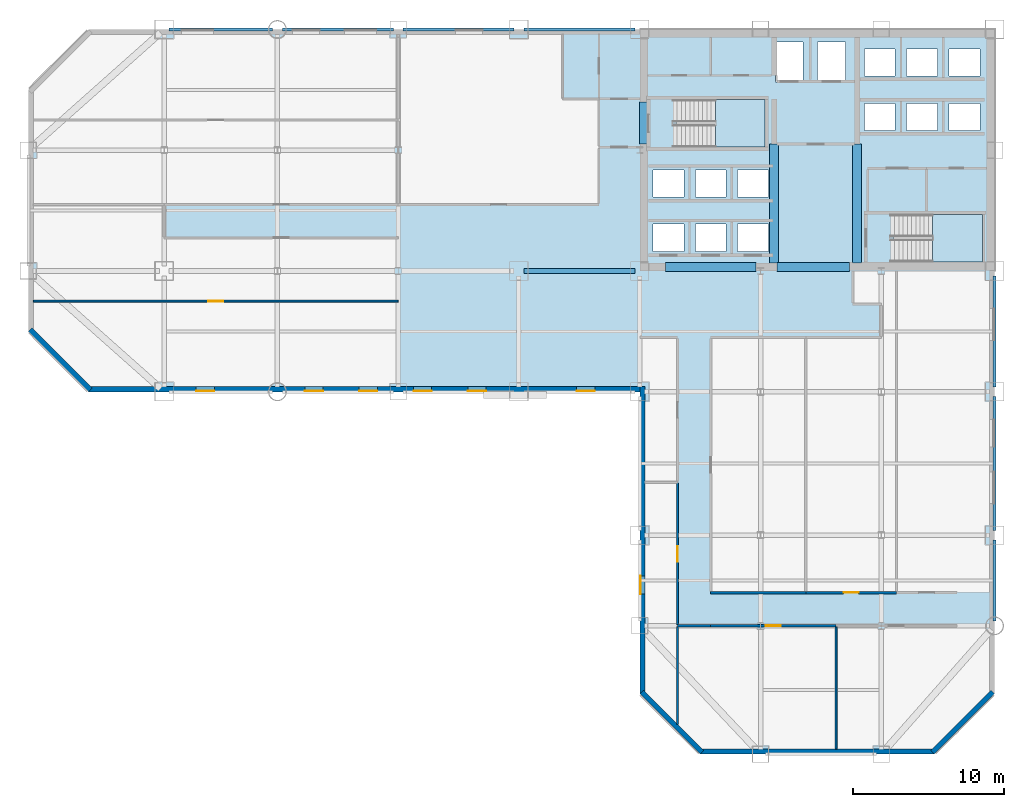
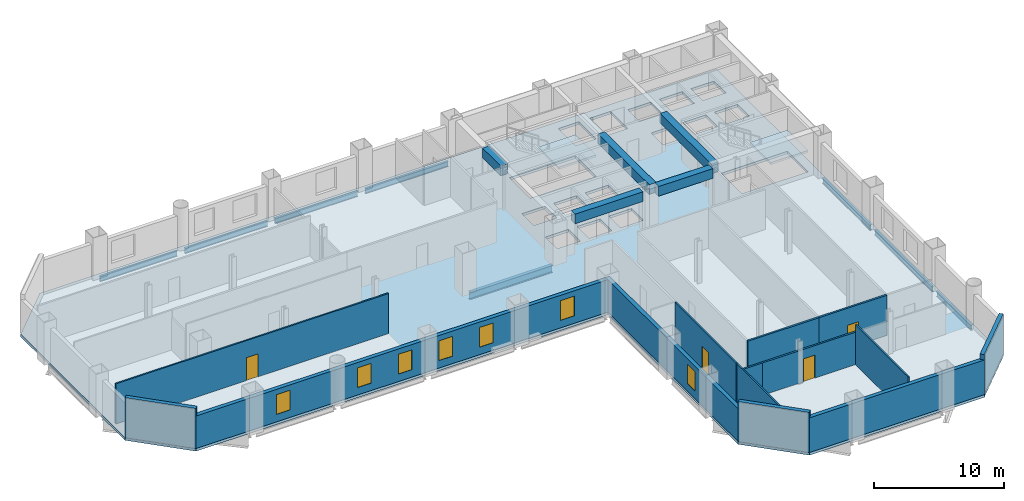
# One storey, part 4 of 9: 14 walls, 13 beams, 7 windows, 4 doors, 3 slabs, 11 openings, 2 elements without a shape of their own.
"""IFC4 building model written with IfcOpenShell, lengths in metres."""

from ifc_helpers import new_model, si_unit, direction, frame, frame_2d, origin, origin_2d, place, context, subcontext, project, spatial, polyline, rectangle, i_section, outline, extrude, material, layer, layer_set, material_profile, profile_set, type_object, element, fill, aggregate, save


model = new_model("IFC4")

# Units and contexts
model_context = context("Model", 3, precision=1e-05, world=origin(), true_north=direction((0.0, 1.0)))
body_context = subcontext(model_context, "Body", "Model", "MODEL_VIEW")
ifc_project = project(units=[si_unit("LENGTHUNIT", "METRE"), si_unit("AREAUNIT", "SQUARE_METRE"), si_unit("VOLUMEUNIT", "CUBIC_METRE"), si_unit("PLANEANGLEUNIT", "RADIAN"), si_unit("MASSUNIT", "GRAM", prefix="KILO")], contexts=[model_context])

# Site, building, storey
site_placement = place(None, origin())
site = spatial("IfcSite", under=ifc_project, at=site_placement, CompositionType="ELEMENT")
building_placement = place(site_placement, origin())
building = spatial("IfcBuilding", under=site, at=building_placement, Name="Qianrong Seaharbour Tower", CompositionType="ELEMENT")
storey_placement = place(building_placement, frame((0.0, 0.0, 68.199951171875)))
storey = spatial("IfcBuildingStorey", under=building, at=storey_placement, Name="L16", CompositionType="ELEMENT", Elevation=68.199951171875)

# Beams
ifc_material_1 = material(Name="Structural steel SN490B", Category="steel")
ifc_material_profile_1 = material_profile(ifc_material_1, i_section(OverallWidth=0.300048828125, OverallDepth=0.699951171875, WebThickness=0.012939453125, FlangeThickness=0.02392578125, FilletRadius=0.02587890625, at=origin_2d()), Name="H700x300x13x24")
ifc_profile_set_1 = profile_set([ifc_material_profile_1], Name="Structural steel SN490B")
beam_type_1 = type_object("IfcBeamType", Name="BM-G-700", PredefinedType="BEAM", material=ifc_profile_set_1)
beam_1_placement = place(storey_placement, frame((32.820068359375, 36.0, -0.599853515625), z_axis=(1.0, 0.0, 0.0), x_axis=(0.0, 1.0, 0.0)))
element("IfcBeam", 1, at=beam_1_placement, inside=storey, type_object=beam_type_1, Name="L16 Primary Girder GF G5-G6", PredefinedType="BEAM", context=body_context, shape_type="SweptSolid", body=[
    extrude(i_section(OverallWidth=0.300048828125, OverallDepth=0.699951171875, WebThickness=0.012939453125, FlangeThickness=0.02392578125, FilletRadius=0.02587890625, at=origin_2d()), origin(), (0.0, 0.0, 1.0), 7.35986328125),
])
ifc_material_2 = material(Name="Concrete C70/85", Category="concrete")
ifc_material_profile_2 = material_profile(ifc_material_2, rectangle(XDim=0.60009765625, YDim=0.89990234375, at=origin_2d()), Name="RC600x900")
ifc_profile_set_2 = profile_set([ifc_material_profile_2], Name="Concrete C70/85")
beam_type_2 = type_object("IfcBeamType", Name="BM-LINTEL-900", PredefinedType="LINTEL", material=ifc_profile_set_2)
beam_2_placement = place(storey_placement, frame((40.77001953125, 44.39990234375, 3.300048828125), z_axis=(0.0, 1.0, 0.0), x_axis=(-1.0, 0.0, 0.0)))
element("IfcBeam", 2, at=beam_2_placement, inside=storey, type_object=beam_type_2, Name="L16 Core Coupling Lintel Beam West", PredefinedType="LINTEL", context=body_context, shape_type="SweptSolid", body=[
    extrude(rectangle(XDim=0.60009765625, YDim=0.89990234375, at=origin_2d()), origin(), (0.0, 0.0, 1.0), 2.800048828125),
])
beam_3_placement = place(storey_placement, frame((42.199951171875, 36.27001953125, 3.300048828125), z_axis=(1.0, 0.0, 0.0), x_axis=(0.0, 1.0, 0.0)))
element("IfcBeam", 3, at=beam_3_placement, inside=storey, type_object=beam_type_2, Name="L16 Core Coupling Lintel Beam CBW", PredefinedType="LINTEL", context=body_context, shape_type="SweptSolid", body=[
    extrude(rectangle(XDim=0.60009765625, YDim=0.89990234375, at=origin_2d()), origin(), (0.0, 0.0, 1.0), 6.0),
])
beam_4_placement = place(storey_placement, frame((49.60009765625, 36.27001953125, 3.300048828125), z_axis=(1.0, 0.0, 0.0), x_axis=(0.0, 1.0, 0.0)))
element("IfcBeam", 4, at=beam_4_placement, inside=storey, type_object=beam_type_2, Name="L16 Core Coupling Lintel Beam CBC", PredefinedType="LINTEL", context=body_context, shape_type="SweptSolid", body=[
    extrude(rectangle(XDim=0.60009765625, YDim=0.89990234375, at=origin_2d()), origin(), (0.0, 0.0, 1.0), 4.7998046875),
])
for number, where, z_axis, x_axis, name in (
    (5, (49.39990234375, 36.5400390625, 3.300048828125), (0.0, 1.0, 0.0), (-1.0, 0.0, 0.0), "L16 Internal Core Coupling Beam IW1"),
    (6, (54.89990234375, 36.5400390625, 3.300048828125), (0.0, 1.0, 0.0), (-1.0, 0.0, 0.0), "L16 Internal Core Coupling Beam IW2"),
):
    element("IfcBeam", number, at=place(storey_placement, frame(where, z_axis=z_axis, x_axis=x_axis)), inside=storey, type_object=beam_type_2, Name=name, PredefinedType="LINTEL", context=body_context, shape_type="SweptSolid", body=[
        extrude(rectangle(XDim=0.60009765625, YDim=0.89990234375, at=origin_2d()), origin(), (0.0, 0.0, 1.0), 7.85986328125),
    ])
ifc_material_profile_3 = material_profile(ifc_material_1, i_section(OverallWidth=0.199951171875, OverallDepth=0.5, WebThickness=0.010009765625, FlangeThickness=0.01611328125, FilletRadius=0.02001953125, at=origin_2d()), Name="H500x200x10x16")
ifc_profile_set_3 = profile_set([ifc_material_profile_3], Name="Structural steel SN490B")
beam_type_3 = type_object("IfcBeamType", Name="BM-SP-500", PredefinedType="SPANDREL", material=ifc_profile_set_3)
beam_5_placement = place(storey_placement, frame((9.320068359375, 52.0, -0.5), z_axis=(1.0, 0.0, 0.0), x_axis=(0.0, 1.0, 0.0)))
element("IfcBeam", 7, at=beam_5_placement, inside=storey, type_object=beam_type_3, Name="L16 Spandrel Girder GH G2-G3", PredefinedType="SPANDREL", context=body_context, shape_type="SweptSolid", body=[
    extrude(i_section(OverallWidth=0.199951171875, OverallDepth=0.5, WebThickness=0.010009765625, FlangeThickness=0.01611328125, FilletRadius=0.02001953125, at=origin_2d()), origin(), (0.0, 0.0, 1.0), 6.85986328125),
])
for number, where, z_axis, x_axis, name in (
    (8, (16.820068359375, 52.0, -0.5), (1.0, 0.0, 0.0), (0.0, 1.0, 0.0), "L16 Spandrel Girder GH G3-G4"),
    (9, (24.820068359375, 52.0, -0.5), (1.0, 0.0, 0.0), (0.0, 1.0, 0.0), "L16 Spandrel Girder GH G4-G5"),
    (10, (32.820068359375, 52.0, -0.5), (1.0, 0.0, 0.0), (0.0, 1.0, 0.0), "L16 Spandrel Girder GH G5-G6"),
):
    element("IfcBeam", number, at=place(storey_placement, frame(where, z_axis=z_axis, x_axis=x_axis)), inside=storey, type_object=beam_type_3, Name=name, PredefinedType="SPANDREL", context=body_context, shape_type="SweptSolid", body=[
        extrude(i_section(OverallWidth=0.199951171875, OverallDepth=0.5, WebThickness=0.010009765625, FlangeThickness=0.01611328125, FilletRadius=0.02001953125, at=origin_2d()), origin(), (0.0, 0.0, 1.0), 7.35986328125),
    ])
beam_6_placement = place(storey_placement, frame((64.0, 12.820068359375, -0.5), z_axis=(0.0, 1.0, 0.0), x_axis=(-1.0, 0.0, 0.0)))
element("IfcBeam", 11, at=beam_6_placement, inside=storey, type_object=beam_type_3, Name="L16 Spandrel Girder G9 GC-GD", PredefinedType="SPANDREL", context=body_context, shape_type="SweptSolid", body=[
    extrude(i_section(OverallWidth=0.199951171875, OverallDepth=0.5, WebThickness=0.010009765625, FlangeThickness=0.01611328125, FilletRadius=0.02001953125, at=origin_2d()), origin(), (0.0, 0.0, 1.0), 5.35986328125),
])
beam_7_placement = place(storey_placement, frame((64.0, 18.820068359375, -0.5), z_axis=(0.0, 1.0, 0.0), x_axis=(-1.0, 0.0, 0.0)))
element("IfcBeam", 12, at=beam_7_placement, inside=storey, type_object=beam_type_3, Name="L16 Spandrel Girder G9 GD-GE", PredefinedType="SPANDREL", context=body_context, shape_type="SweptSolid", body=[
    extrude(i_section(OverallWidth=0.199951171875, OverallDepth=0.5, WebThickness=0.010009765625, FlangeThickness=0.01611328125, FilletRadius=0.02001953125, at=origin_2d()), origin(), (0.0, 0.0, 1.0), 8.85986328125),
])
beam_8_placement = place(storey_placement, frame((64.0, 28.320068359375, -0.5), z_axis=(0.0, 1.0, 0.0), x_axis=(-1.0, 0.0, 0.0)))
element("IfcBeam", 13, at=beam_8_placement, inside=storey, type_object=beam_type_3, Name="L16 Spandrel Girder G9 GE-GF", PredefinedType="SPANDREL", context=body_context, shape_type="SweptSolid", body=[
    extrude(i_section(OverallWidth=0.199951171875, OverallDepth=0.5, WebThickness=0.010009765625, FlangeThickness=0.01611328125, FilletRadius=0.02001953125, at=origin_2d()), origin(), (0.0, 0.0, 1.0), 7.35986328125),
])

# Stair, slab
ifc_material_3 = material(Name="Concrete C50/60", Category="concrete")
stair_type = type_object("IfcStairType", Name="STAIR-DOGLEG-1500-R22", PredefinedType="HALF_TURN_STAIR", material=ifc_material_3)
stair_1_placement = place(storey_placement, origin())
stair_1 = element("IfcStair", 14, at=stair_1_placement, inside=storey, type_object=stair_type, Name="L16 Protected Escape Stair ST-1", PredefinedType="HALF_TURN_STAIR")
ifc_layer_1 = layer(ifc_material_3, 0.199951171875)
ifc_layer_set_1 = layer_set([ifc_layer_1], Name="Concrete C50/60")
slab_type_1 = type_object("IfcSlabType", Name="SLAB-STAIR-LANDING-200", PredefinedType="LANDING", material=ifc_layer_set_1)
slab_1_placement = place(storey_placement, frame((0.0, 0.0, 1.800048828125)))
slab_1 = element("IfcSlab", 15, at=slab_1_placement, type_object=slab_type_1, Name="ST-1 landing 1", PredefinedType="LANDING", context=body_context, shape_type="SweptSolid", body=[
    extrude(outline(polyline([(45.5, 44.199951171875), (48.800048828125, 44.199951171875), (48.800048828125, 47.35009765625), (45.5, 47.35009765625), (45.5, 44.199951171875)])), origin(), (0.0, 0.0, 1.0), 0.199951171875),
])
aggregate(stair_1, [slab_1])

stair_2_placement = place(storey_placement, origin())
stair_2 = element("IfcStair", 16, at=stair_2_placement, inside=storey, type_object=stair_type, Name="L16 Protected Escape Stair ST-2", PredefinedType="HALF_TURN_STAIR")
slab_2_placement = place(storey_placement, frame((0.0, 0.0, 1.800048828125)))
slab_2 = element("IfcSlab", 17, at=slab_2_placement, type_object=slab_type_1, Name="ST-2 landing 1", PredefinedType="LANDING", context=body_context, shape_type="SweptSolid", body=[
    extrude(outline(polyline([(59.89990234375, 36.60009765625), (63.199951171875, 36.60009765625), (63.199951171875, 39.75), (59.89990234375, 39.75), (59.89990234375, 36.60009765625)])), origin(), (0.0, 0.0, 1.0), 0.199951171875),
])
aggregate(stair_2, [slab_2])

# Slab
ifc_layer_2 = layer(ifc_material_3, 0.25)
ifc_layer_set_2 = layer_set([ifc_layer_2], Name="Concrete C50/60")
slab_type_2 = type_object("IfcSlabType", Name="SLAB-Z1-250", PredefinedType="FLOOR", material=ifc_layer_set_2)
slab_3_placement = place(storey_placement, frame((0.0, 0.0, -0.25)))
element("IfcSlab", 18, at=slab_3_placement, inside=storey, type_object=slab_type_2, Name="L16 Structural Floor Slab", PredefinedType="FLOOR", context=body_context, shape_type="SweptSolid", body=[
    extrude(outline(polyline([(44.5, 4.0), (60.0, 4.0), (64.0, 8.0), (64.0, 52.0), (4.0, 52.0), (0.0, 48.0), (0.0, 32.0), (4.0, 28.0), (40.5, 28.0), (40.5, 8.0), (44.5, 4.0)]), holes=[polyline([(42.93994140625, 44.199951171875), (42.93994140625, 47.35009765625), (48.800048828125, 47.35009765625), (48.800048828125, 44.199951171875), (42.93994140625, 44.199951171875)]), polyline([(57.340087890625, 36.60009765625), (57.340087890625, 39.75), (63.199951171875, 39.75), (63.199951171875, 36.60009765625), (57.340087890625, 36.60009765625)]), polyline([(49.47998046875, 48.530029296875), (49.47998046875, 51.169921875), (51.320068359375, 51.169921875), (51.320068359375, 48.530029296875), (49.47998046875, 48.530029296875)]), polyline([(52.280029296875, 48.530029296875), (52.280029296875, 51.169921875), (54.1201171875, 51.169921875), (54.1201171875, 48.530029296875), (52.280029296875, 48.530029296875)]), polyline([(41.3798828125, 37.300048828125), (41.3798828125, 39.10009765625), (43.419921875, 39.10009765625), (43.419921875, 37.300048828125), (41.3798828125, 37.300048828125)]), polyline([(44.179931640625, 37.300048828125), (44.179931640625, 39.10009765625), (46.219970703125, 39.10009765625), (46.219970703125, 37.300048828125), (44.179931640625, 37.300048828125)]), polyline([(46.97998046875, 37.300048828125), (46.97998046875, 39.10009765625), (49.02001953125, 39.10009765625), (49.02001953125, 37.300048828125), (46.97998046875, 37.300048828125)]), polyline([(41.3798828125, 40.89990234375), (41.3798828125, 42.699951171875), (43.419921875, 42.699951171875), (43.419921875, 40.89990234375), (41.3798828125, 40.89990234375)]), polyline([(44.179931640625, 40.89990234375), (44.179931640625, 42.699951171875), (46.219970703125, 42.699951171875), (46.219970703125, 40.89990234375), (44.179931640625, 40.89990234375)]), polyline([(46.97998046875, 40.89990234375), (46.97998046875, 42.699951171875), (49.02001953125, 42.699951171875), (49.02001953125, 40.89990234375), (46.97998046875, 40.89990234375)]), polyline([(55.3798828125, 45.300048828125), (55.3798828125, 47.10009765625), (57.419921875, 47.10009765625), (57.419921875, 45.300048828125), (55.3798828125, 45.300048828125)]), polyline([(58.179931640625, 45.300048828125), (58.179931640625, 47.10009765625), (60.219970703125, 47.10009765625), (60.219970703125, 45.300048828125), (58.179931640625, 45.300048828125)]), polyline([(60.97998046875, 45.300048828125), (60.97998046875, 47.10009765625), (63.02001953125, 47.10009765625), (63.02001953125, 45.300048828125), (60.97998046875, 45.300048828125)]), polyline([(55.3798828125, 48.89990234375), (55.3798828125, 50.699951171875), (57.419921875, 50.699951171875), (57.419921875, 48.89990234375), (55.3798828125, 48.89990234375)]), polyline([(58.179931640625, 48.89990234375), (58.179931640625, 50.699951171875), (60.219970703125, 50.699951171875), (60.219970703125, 48.89990234375), (58.179931640625, 48.89990234375)]), polyline([(60.97998046875, 48.89990234375), (60.97998046875, 50.699951171875), (63.02001953125, 50.699951171875), (63.02001953125, 48.89990234375), (60.97998046875, 48.89990234375)])]), origin(), (0.0, 0.0, 1.0), 0.25),
])

# Walls
ifc_material_4 = material(Name="Fire-rated acoustic gypsum board partition")
ifc_layer_3 = layer(ifc_material_4, 0.1650390625)
ifc_layer_set_3 = layer_set([ifc_layer_3], Name="Fire-rated acoustic gypsum board partition")
wall_type_1 = type_object("IfcWallType", Name="WALL-CORR-PART-165", PredefinedType="PARTITIONING", material=ifc_layer_set_3)
wall_1_placement = place(storey_placement, frame((45.199951171875, 12.5, 0.0), z_axis=(0.0, 0.0, 1.0), x_axis=(-1.0, 0.0, 0.0)))
element("IfcWall", 19, at=wall_1_placement, inside=storey, type_object=wall_type_1, Name="L16 Interior Partition Wall 029", PredefinedType="PARTITIONING", context=body_context, shape_type="SweptSolid", body=[
    extrude(rectangle(XDim=2.199951171875, YDim=0.1650390625, at=frame_2d((1.10009765625, 0.0))), origin(), (0.0, 0.0, 1.0), 3.0419921875),
])
wall_2_placement = place(storey_placement, frame((45.199951171875, 14.699951171875, 0.0), z_axis=(0.0, 0.0, 1.0), x_axis=(1.0, 0.0, 0.0)))
element("IfcWall", 20, at=wall_2_placement, inside=storey, type_object=wall_type_1, Name="L16 Interior Partition Wall 030", PredefinedType="PARTITIONING", context=body_context, shape_type="SweptSolid", body=[
    extrude(rectangle(XDim=6.300048828125, YDim=0.1650390625, at=frame_2d((3.14990234375, 0.0))), origin(), (0.0, 0.0, 1.0), 3.75),
])

# Wall, opening, door
wall_3_placement = place(storey_placement, frame((51.5, 14.699951171875, 0.0), z_axis=(0.0, 0.0, 1.0), x_axis=(1.0, 0.0, 0.0)))
wall_3 = element("IfcWall", 21, at=wall_3_placement, inside=storey, type_object=wall_type_1, Name="L16 Interior Partition Wall 031", PredefinedType="PARTITIONING", context=body_context, shape_type="SweptSolid", body=[
    extrude(rectangle(XDim=6.0, YDim=0.1650390625, at=frame_2d((3.0, 0.0))), origin(), (0.0, 0.0, 1.0), 3.75),
])
opening_1_placement = place(wall_3_placement, frame((2.5, 0.0, 0.0)))
opening_1 = element("IfcOpeningElement", 22, at=opening_1_placement, cuts=wall_3, Name="Opening DO-01", PredefinedType="OPENING", context=body_context, shape_type="SweptSolid", body=[
    extrude(rectangle(XDim=1.0, YDim=2.14990234375, at=frame_2d((0.5, 1.074951171875))), frame((0.0, 0.092529296875, 0.0), z_axis=(0.0, -1.0, 0.0), x_axis=(1.0, 0.0, 0.0)), (0.0, 0.0, 1.0), 0.18505859375),
])
ifc_material_5 = material(Name="Acoustic timber and galvanized steel fire door assembly", Category="steel")
door_type = type_object("IfcDoorType", Name="DOOR-OFFICE-1000x2150", OperationType="NOTDEFINED", PredefinedType="DOOR", material=ifc_material_5)
door_1_placement = place(opening_1_placement, origin())
door_1 = element("IfcDoor", 23, at=door_1_placement, inside=storey, type_object=door_type, Name="L16 Catering Servery Kitchen 2 Door", OperationType="SINGLE_SWING_RIGHT", OverallHeight=2.14990234375, OverallWidth=1.0, PredefinedType="DOOR", context=body_context, shape_type="SweptSolid", body=[
    extrude(rectangle(XDim=1.0, YDim=2.14990234375, at=frame_2d((0.5, 1.074951171875))), frame((0.0, 0.02490234375, 0.0), z_axis=(0.0, -1.0, 0.0), x_axis=(1.0, 0.0, 0.0)), (0.0, 0.0, 1.0), 0.050048828125),
])
fill(opening_1, door_1)

wall_4_placement = place(storey_placement, frame((53.5, 12.5, 0.0), z_axis=(0.0, 0.0, 1.0), x_axis=(-1.0, 0.0, 0.0)))
wall_4 = element("IfcWall", 24, at=wall_4_placement, inside=storey, type_object=wall_type_1, Name="L16 Interior Partition Wall 033", PredefinedType="PARTITIONING", context=body_context, shape_type="SweptSolid", body=[
    extrude(rectangle(XDim=8.300048828125, YDim=0.1650390625, at=frame_2d((4.14990234375, 0.0))), origin(), (0.0, 0.0, 1.0), 3.0419921875),
])
opening_2_placement = place(wall_4_placement, frame((3.64990234375, 0.0, 0.0)))
opening_2 = element("IfcOpeningElement", 25, at=opening_2_placement, cuts=wall_4, Name="Opening DO-01", PredefinedType="OPENING", context=body_context, shape_type="SweptSolid", body=[
    extrude(rectangle(XDim=1.0, YDim=2.14990234375, at=frame_2d((0.5, 1.074951171875))), frame((0.0, 0.092529296875, 0.0), z_axis=(0.0, -1.0, 0.0), x_axis=(1.0, 0.0, 0.0)), (0.0, 0.0, 1.0), 0.18505859375),
])
door_2_placement = place(opening_2_placement, origin())
door_2 = element("IfcDoor", 26, at=door_2_placement, inside=storey, type_object=door_type, Name="L16 South View Lounge 1 Door", OperationType="SINGLE_SWING_RIGHT", OverallHeight=2.14990234375, OverallWidth=1.0, PredefinedType="DOOR", context=body_context, shape_type="SweptSolid", body=[
    extrude(rectangle(XDim=1.0, YDim=2.14990234375, at=frame_2d((0.5, 1.074951171875))), frame((0.0, 0.02490234375, 0.0), z_axis=(0.0, -1.0, 0.0), x_axis=(1.0, 0.0, 0.0)), (0.0, 0.0, 1.0), 0.050048828125),
])
fill(opening_2, door_2)

# Wall, opening, window
ifc_material_6 = material(Name="Unitised buff brick on Precast concrete C45/55", Category="masonry")
ifc_layer_4 = layer(ifc_material_6, 0.340087890625)
ifc_layer_set_4 = layer_set([ifc_layer_4], Name="Unitised buff brick on Precast concrete C45/55")
wall_type_2 = type_object("IfcWallType", Name="WALL-EXT-BRICK-BUFF-340", PredefinedType="SOLIDWALL", material=ifc_layer_set_4)
wall_5_placement = place(storey_placement, frame((40.669921875, 8.0, 0.0), z_axis=(0.0, 0.0, 1.0), x_axis=(0.0, 1.0, 0.0)))
wall_5 = element("IfcWall", 27, at=wall_5_placement, inside=storey, type_object=wall_type_2, Name="L16 Exterior Masonry Facade Wall REENTRANT_WEST", PredefinedType="SOLIDWALL", context=body_context, shape_type="SweptSolid", body=[
    extrude(rectangle(XDim=20.340087890625, YDim=0.340087890625, at=frame_2d((10.169921875, 0.0))), origin(), (0.0, 0.0, 1.0), 3.050048828125),
])
opening_3_placement = place(wall_5_placement, frame((6.60009765625, 0.0, 0.699951171875)))
opening_3 = element("IfcOpeningElement", 28, at=opening_3_placement, cuts=wall_5, Name="Opening WN-01", PredefinedType="OPENING", context=body_context, shape_type="SweptSolid", body=[
    extrude(rectangle(XDim=1.199951171875, YDim=1.85009765625, at=frame_2d((0.60009765625, 0.925048828125))), frame((0.0, 0.18017578125, 0.0), z_axis=(0.0, -1.0, 0.0), x_axis=(1.0, 0.0, 0.0)), (0.0, 0.0, 1.0), 0.360107421875),
])
ifc_material_7 = material(Name="Insulated low-e double glazing in thermally broken aluminium 6063-T6 frame", Category="aluminium")
window_type = type_object("IfcWindowType", Name="WIN-PUNCH-1200x1850", PartitioningType="DOUBLE_PANEL_VERTICAL", PredefinedType="WINDOW", material=ifc_material_7)
window_1_placement = place(opening_3_placement, origin())
window_1 = element("IfcWindow", 29, at=window_1_placement, inside=storey, type_object=window_type, Name="L16 Deep-Set Punched Window 00.02", OverallHeight=1.85009765625, OverallWidth=1.199951171875, PartitioningType="DOUBLE_PANEL_VERTICAL", PredefinedType="WINDOW", context=body_context, shape_type="SweptSolid", body=[
    extrude(rectangle(XDim=1.199951171875, YDim=1.85009765625, at=frame_2d((0.60009765625, 0.925048828125))), frame((0.0, 0.150146484375, 0.0), z_axis=(0.0, -1.0, 0.0), x_axis=(1.0, 0.0, 0.0)), (0.0, 0.0, 1.0), 0.06005859375),
])
fill(opening_3, window_1)

# Wall, openings, windows
wall_6_placement = place(storey_placement, frame((40.52001953125, 28.169921875, 0.0), z_axis=(0.0, 0.0, 1.0), x_axis=(-1.0, 0.0, 0.0)))
wall_6 = element("IfcWall", 30, at=wall_6_placement, inside=storey, type_object=wall_type_2, Name="L16 Exterior Masonry Facade Wall HARBOUR_RIBBON", PredefinedType="SOLIDWALL", context=body_context, shape_type="SweptSolid", body=[
    extrude(rectangle(XDim=36.52001953125, YDim=0.340087890625, at=frame_2d((18.260009765625, 0.0))), origin(), (0.0, 0.0, 1.0), 3.050048828125),
])
opening_4_placement = place(wall_6_placement, frame((3.0, 0.0, 0.699951171875)))
opening_4 = element("IfcOpeningElement", 31, at=opening_4_placement, cuts=wall_6, Name="Opening WN-01", PredefinedType="OPENING", context=body_context, shape_type="SweptSolid", body=[
    extrude(rectangle(XDim=1.199951171875, YDim=1.85009765625, at=frame_2d((0.60009765625, 0.925048828125))), frame((0.0, 0.18017578125, 0.0), z_axis=(0.0, -1.0, 0.0), x_axis=(1.0, 0.0, 0.0)), (0.0, 0.0, 1.0), 0.360107421875),
])
opening_5_placement = place(wall_6_placement, frame((10.199951171875, 0.0, 0.699951171875)))
opening_5 = element("IfcOpeningElement", 32, at=opening_5_placement, cuts=wall_6, Name="Opening WN-01", PredefinedType="OPENING", context=body_context, shape_type="SweptSolid", body=[
    extrude(rectangle(XDim=1.199951171875, YDim=1.85009765625, at=frame_2d((0.60009765625, 0.925048828125))), frame((0.0, 0.18017578125, 0.0), z_axis=(0.0, -1.0, 0.0), x_axis=(1.0, 0.0, 0.0)), (0.0, 0.0, 1.0), 0.360107421875),
])
opening_6_placement = place(wall_6_placement, frame((13.800048828125, 0.0, 0.699951171875)))
opening_6 = element("IfcOpeningElement", 33, at=opening_6_placement, cuts=wall_6, Name="Opening WN-01", PredefinedType="OPENING", context=body_context, shape_type="SweptSolid", body=[
    extrude(rectangle(XDim=1.199951171875, YDim=1.85009765625, at=frame_2d((0.60009765625, 0.925048828125))), frame((0.0, 0.18017578125, 0.0), z_axis=(0.0, -1.0, 0.0), x_axis=(1.0, 0.0, 0.0)), (0.0, 0.0, 1.0), 0.360107421875),
])
opening_7_placement = place(wall_6_placement, frame((17.39990234375, 0.0, 0.699951171875)))
opening_7 = element("IfcOpeningElement", 34, at=opening_7_placement, cuts=wall_6, Name="Opening WN-01", PredefinedType="OPENING", context=body_context, shape_type="SweptSolid", body=[
    extrude(rectangle(XDim=1.199951171875, YDim=1.85009765625, at=frame_2d((0.60009765625, 0.925048828125))), frame((0.0, 0.18017578125, 0.0), z_axis=(0.0, -1.0, 0.0), x_axis=(1.0, 0.0, 0.0)), (0.0, 0.0, 1.0), 0.360107421875),
])
opening_8_placement = place(wall_6_placement, frame((21.0, 0.0, 0.699951171875)))
opening_8 = element("IfcOpeningElement", 35, at=opening_8_placement, cuts=wall_6, Name="Opening WN-01", PredefinedType="OPENING", context=body_context, shape_type="SweptSolid", body=[
    extrude(rectangle(XDim=1.199951171875, YDim=1.85009765625, at=frame_2d((0.60009765625, 0.925048828125))), frame((0.0, 0.18017578125, 0.0), z_axis=(0.0, -1.0, 0.0), x_axis=(1.0, 0.0, 0.0)), (0.0, 0.0, 1.0), 0.360107421875),
])
opening_9_placement = place(wall_6_placement, frame((28.199951171875, 0.0, 0.699951171875)))
opening_9 = element("IfcOpeningElement", 36, at=opening_9_placement, cuts=wall_6, Name="Opening WN-01", PredefinedType="OPENING", context=body_context, shape_type="SweptSolid", body=[
    extrude(rectangle(XDim=1.199951171875, YDim=1.85009765625, at=frame_2d((0.60009765625, 0.925048828125))), frame((0.0, 0.18017578125, 0.0), z_axis=(0.0, -1.0, 0.0), x_axis=(1.0, 0.0, 0.0)), (0.0, 0.0, 1.0), 0.360107421875),
])
window_2_placement = place(opening_4_placement, origin())
window_2 = element("IfcWindow", 37, at=window_2_placement, inside=storey, type_object=window_type, Name="L16 Deep-Set Punched Window 01.01", OverallHeight=1.85009765625, OverallWidth=1.199951171875, PartitioningType="DOUBLE_PANEL_VERTICAL", PredefinedType="WINDOW", context=body_context, shape_type="SweptSolid", body=[
    extrude(rectangle(XDim=1.199951171875, YDim=1.85009765625, at=frame_2d((0.60009765625, 0.925048828125))), frame((0.0, 0.150146484375, 0.0), z_axis=(0.0, -1.0, 0.0), x_axis=(1.0, 0.0, 0.0)), (0.0, 0.0, 1.0), 0.06005859375),
])
fill(opening_4, window_2)
window_3_placement = place(opening_5_placement, origin())
window_3 = element("IfcWindow", 38, at=window_3_placement, inside=storey, type_object=window_type, Name="L16 Deep-Set Punched Window 01.03", OverallHeight=1.85009765625, OverallWidth=1.199951171875, PartitioningType="DOUBLE_PANEL_VERTICAL", PredefinedType="WINDOW", context=body_context, shape_type="SweptSolid", body=[
    extrude(rectangle(XDim=1.199951171875, YDim=1.85009765625, at=frame_2d((0.60009765625, 0.925048828125))), frame((0.0, 0.150146484375, 0.0), z_axis=(0.0, -1.0, 0.0), x_axis=(1.0, 0.0, 0.0)), (0.0, 0.0, 1.0), 0.06005859375),
])
fill(opening_5, window_3)
window_4_placement = place(opening_6_placement, origin())
window_4 = element("IfcWindow", 39, at=window_4_placement, inside=storey, type_object=window_type, Name="L16 Deep-Set Punched Window 01.04", OverallHeight=1.85009765625, OverallWidth=1.199951171875, PartitioningType="DOUBLE_PANEL_VERTICAL", PredefinedType="WINDOW", context=body_context, shape_type="SweptSolid", body=[
    extrude(rectangle(XDim=1.199951171875, YDim=1.85009765625, at=frame_2d((0.60009765625, 0.925048828125))), frame((0.0, 0.150146484375, 0.0), z_axis=(0.0, -1.0, 0.0), x_axis=(1.0, 0.0, 0.0)), (0.0, 0.0, 1.0), 0.06005859375),
])
fill(opening_6, window_4)
window_5_placement = place(opening_7_placement, origin())
window_5 = element("IfcWindow", 40, at=window_5_placement, inside=storey, type_object=window_type, Name="L16 Deep-Set Punched Window 01.05", OverallHeight=1.85009765625, OverallWidth=1.199951171875, PartitioningType="DOUBLE_PANEL_VERTICAL", PredefinedType="WINDOW", context=body_context, shape_type="SweptSolid", body=[
    extrude(rectangle(XDim=1.199951171875, YDim=1.85009765625, at=frame_2d((0.60009765625, 0.925048828125))), frame((0.0, 0.150146484375, 0.0), z_axis=(0.0, -1.0, 0.0), x_axis=(1.0, 0.0, 0.0)), (0.0, 0.0, 1.0), 0.06005859375),
])
fill(opening_7, window_5)
window_6_placement = place(opening_8_placement, origin())
window_6 = element("IfcWindow", 41, at=window_6_placement, inside=storey, type_object=window_type, Name="L16 Deep-Set Punched Window 01.06", OverallHeight=1.85009765625, OverallWidth=1.199951171875, PartitioningType="DOUBLE_PANEL_VERTICAL", PredefinedType="WINDOW", context=body_context, shape_type="SweptSolid", body=[
    extrude(rectangle(XDim=1.199951171875, YDim=1.85009765625, at=frame_2d((0.60009765625, 0.925048828125))), frame((0.0, 0.150146484375, 0.0), z_axis=(0.0, -1.0, 0.0), x_axis=(1.0, 0.0, 0.0)), (0.0, 0.0, 1.0), 0.06005859375),
])
fill(opening_8, window_6)
window_7_placement = place(opening_9_placement, origin())
window_7 = element("IfcWindow", 42, at=window_7_placement, inside=storey, type_object=window_type, Name="L16 Deep-Set Punched Window 01.08", OverallHeight=1.85009765625, OverallWidth=1.199951171875, PartitioningType="DOUBLE_PANEL_VERTICAL", PredefinedType="WINDOW", context=body_context, shape_type="SweptSolid", body=[
    extrude(rectangle(XDim=1.199951171875, YDim=1.85009765625, at=frame_2d((0.60009765625, 0.925048828125))), frame((0.0, 0.150146484375, 0.0), z_axis=(0.0, -1.0, 0.0), x_axis=(1.0, 0.0, 0.0)), (0.0, 0.0, 1.0), 0.06005859375),
])
fill(opening_9, window_7)

# Walls
for number, where, z_axis, x_axis, name in (
    (43, (4.1201171875, 28.1201171875, 0.0), (0.0, 0.0, 1.0), (-0.707106781187, 0.707106781187, 0.0), "L16 Exterior Masonry Facade Wall E02"),
    (44, (63.8798828125, 8.1201171875, 0.0), (0.0, 0.0, 1.0), (-0.707106781187, -0.707106781187, 0.0), "L16 Exterior Masonry Facade Wall E07"),
):
    element("IfcWall", number, at=place(storey_placement, frame(where, z_axis=z_axis, x_axis=x_axis)), inside=storey, type_object=wall_type_2, Name=name, PredefinedType="SOLIDWALL", context=body_context, shape_type="SweptSolid", body=[
        extrude(rectangle(XDim=5.65673828125, YDim=0.340087890625, at=frame_2d((2.828369140625, 0.0))), origin(), (0.0, 0.0, 1.0), 3.75),
    ])
wall_7_placement = place(storey_placement, frame((60.0, 4.169921875, 0.0), z_axis=(0.0, 0.0, 1.0), x_axis=(-1.0, 0.0, 0.0)))
element("IfcWall", 45, at=wall_7_placement, inside=storey, type_object=wall_type_2, Name="L16 Exterior Masonry Facade Wall SOUTH_TIP", PredefinedType="SOLIDWALL", context=body_context, shape_type="SweptSolid", body=[
    extrude(rectangle(XDim=15.5, YDim=0.340087890625, at=frame_2d((7.75, 0.0))), origin(), (0.0, 0.0, 1.0), 3.25),
])
wall_8_placement = place(storey_placement, frame((44.6201171875, 4.1201171875, 0.0), z_axis=(0.0, 0.0, 1.0), x_axis=(-0.707106781187, 0.707106781187, 0.0)))
element("IfcWall", 46, at=wall_8_placement, inside=storey, type_object=wall_type_2, Name="L16 Exterior Masonry Facade Wall E09", PredefinedType="SOLIDWALL", context=body_context, shape_type="SweptSolid", body=[
    extrude(rectangle(XDim=5.65673828125, YDim=0.340087890625, at=frame_2d((2.828369140625, 0.0))), origin(), (0.0, 0.0, 1.0), 3.75),
])

# Wall, opening, door
ifc_material_8 = material(Name="Water-resistant cement board sanitary partition")
ifc_layer_5 = layer(ifc_material_8, 0.1298828125)
ifc_layer_set_5 = layer_set([ifc_layer_5], Name="Water-resistant cement board sanitary partition")
wall_type_3 = type_object("IfcWallType", Name="WALL-WET-PART-130", PredefinedType="PARTITIONING", material=ifc_layer_set_5)
wall_9_placement = place(storey_placement, frame((43.0, 12.574462890625, 0.0), z_axis=(0.0, 0.0, 1.0), x_axis=(0.0, 1.0, 0.0)))
wall_9 = element("IfcWall", 47, at=wall_9_placement, inside=storey, type_object=wall_type_3, Name="L16 Interior Partition Wall 027", PredefinedType="PARTITIONING", context=body_context, shape_type="SweptSolid", body=[
    extrude(rectangle(XDim=9.36865234375, YDim=0.1298828125, at=frame_2d((4.684326171875, 0.0))), origin(), (0.0, 0.0, 1.0), 3.75),
])
opening_10_placement = place(wall_9_placement, frame((4.18408203125, 0.0, 0.0)))
opening_10 = element("IfcOpeningElement", 48, at=opening_10_placement, cuts=wall_9, Name="Opening DO-01", PredefinedType="OPENING", context=body_context, shape_type="SweptSolid", body=[
    extrude(rectangle(XDim=1.0, YDim=2.14990234375, at=frame_2d((0.5, 1.074951171875))), frame((0.0, 0.074951171875, 0.0), z_axis=(0.0, -1.0, 0.0), x_axis=(1.0, 0.0, 0.0)), (0.0, 0.0, 1.0), 0.14990234375),
])
door_3_placement = place(opening_10_placement, origin())
door_3 = element("IfcDoor", 49, at=door_3_placement, inside=storey, type_object=door_type, Name="L16 Wet Pantry 1 Door", OperationType="SINGLE_SWING_RIGHT", OverallHeight=2.14990234375, OverallWidth=1.0, PredefinedType="DOOR", context=body_context, shape_type="SweptSolid", body=[
    extrude(rectangle(XDim=1.0, YDim=2.14990234375, at=frame_2d((0.5, 1.074951171875))), frame((0.0, 0.02490234375, 0.0), z_axis=(0.0, -1.0, 0.0), x_axis=(1.0, 0.0, 0.0)), (0.0, 0.0, 1.0), 0.050048828125),
])
fill(opening_10, door_3)

wall_10_placement = place(storey_placement, frame((0.33203125, 34.0, 0.0), z_axis=(0.0, 0.0, 1.0), x_axis=(1.0, 0.0, 0.0)))
wall_10 = element("IfcWall", 50, at=wall_10_placement, inside=storey, type_object=wall_type_3, Name="L16 Interior Partition Wall 037", PredefinedType="PARTITIONING", context=body_context, shape_type="SweptSolid", body=[
    extrude(rectangle(XDim=24.16796875, YDim=0.1298828125, at=frame_2d((12.083984375, 0.0))), origin(), (0.0, 0.0, 1.0), 3.75),
])
opening_11_placement = place(wall_10_placement, frame((11.583984375, 0.0, 0.0)))
opening_11 = element("IfcOpeningElement", 51, at=opening_11_placement, cuts=wall_10, Name="Opening DO-01", PredefinedType="OPENING", context=body_context, shape_type="SweptSolid", body=[
    extrude(rectangle(XDim=1.0, YDim=2.14990234375, at=frame_2d((0.5, 1.074951171875))), frame((0.0, 0.074951171875, 0.0), z_axis=(0.0, -1.0, 0.0), x_axis=(1.0, 0.0, 0.0)), (0.0, 0.0, 1.0), 0.14990234375),
])
door_4_placement = place(opening_11_placement, origin())
door_4 = element("IfcDoor", 52, at=door_4_placement, inside=storey, type_object=door_type, Name="L16 Harbour Sunset Lounge 1 Door", OperationType="SINGLE_SWING_LEFT", OverallHeight=2.14990234375, OverallWidth=1.0, PredefinedType="DOOR", context=body_context, shape_type="SweptSolid", body=[
    extrude(rectangle(XDim=1.0, YDim=2.14990234375, at=frame_2d((0.5, 1.074951171875))), frame((0.0, 0.02490234375, 0.0), z_axis=(0.0, -1.0, 0.0), x_axis=(1.0, 0.0, 0.0)), (0.0, 0.0, 1.0), 0.050048828125),
])
fill(opening_11, door_4)

# Walls
wall_11_placement = place(storey_placement, frame((43.0, 12.425537109375, 0.0), z_axis=(0.0, 0.0, 1.0), x_axis=(0.0, -1.0, 0.0)))
element("IfcWall", 53, at=wall_11_placement, inside=storey, type_object=wall_type_3, Name="L16 Interior Partition Wall 043", PredefinedType="PARTITIONING", context=body_context, shape_type="SweptSolid", body=[
    extrude(rectangle(XDim=6.4560546875, YDim=0.1298828125, at=frame_2d((3.22802734375, 0.0))), origin(), (0.0, 0.0, 1.0), 3.75),
])
wall_12_placement = place(storey_placement, frame((53.5, 12.425537109375, 0.0), z_axis=(0.0, 0.0, 1.0), x_axis=(0.0, -1.0, 0.0)))
element("IfcWall", 54, at=wall_12_placement, inside=storey, type_object=wall_type_3, Name="L16 Interior Partition Wall 044", PredefinedType="PARTITIONING", context=body_context, shape_type="SweptSolid", body=[
    extrude(rectangle(XDim=8.093505859375, YDim=0.1298828125, at=frame_2d((4.046875, 0.0))), origin(), (0.0, 0.0, 1.0), 3.75),
])

save(model, "model.ifc")
